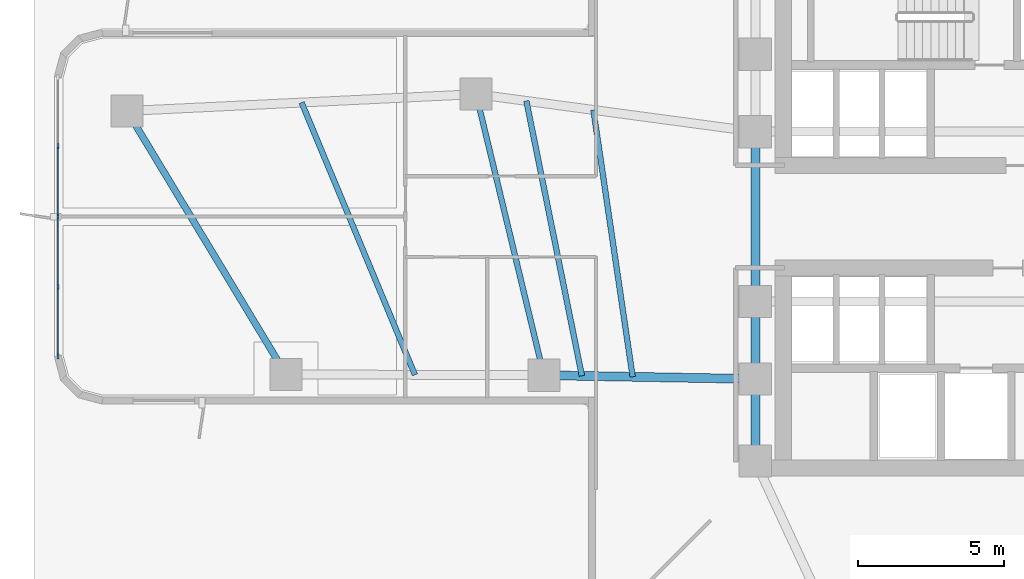
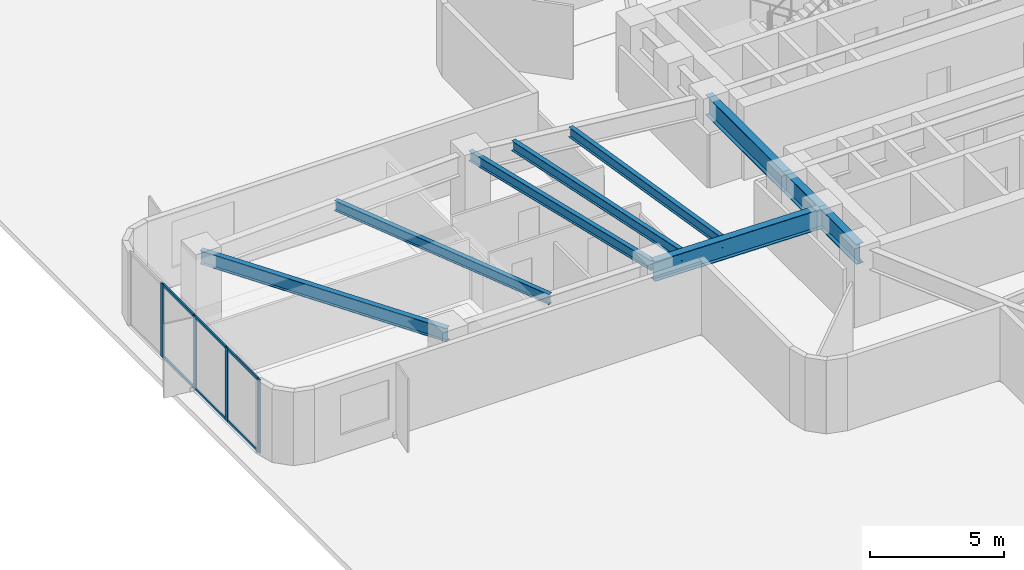
# One storey, part 2 of 14: 10 members, 9 beams, 1 element without a shape of its own.
"""IFC4 building model written with IfcOpenShell, lengths in metres."""

from ifc_helpers import new_model, si_unit, direction, frame, origin, origin_2d, place, context, subcontext, project, spatial, rectangle, i_section, extrude, material, layer, layer_set, material_profile, profile_set, type_object, element, aggregate, save


model = new_model("IFC4")

# Units and contexts
model_context = context("Model", 3, precision=1e-05, world=origin(), true_north=direction((0.0, 1.0)))
body_context = subcontext(model_context, "Body", "Model", "MODEL_VIEW")
ifc_project = project(units=[si_unit("LENGTHUNIT", "METRE"), si_unit("AREAUNIT", "SQUARE_METRE"), si_unit("VOLUMEUNIT", "CUBIC_METRE"), si_unit("PLANEANGLEUNIT", "RADIAN"), si_unit("MASSUNIT", "GRAM", prefix="KILO")], contexts=[model_context])

# Site, building, storey
site_placement = place(None, origin())
site = spatial("IfcSite", under=ifc_project, at=site_placement, CompositionType="ELEMENT")
building_placement = place(site_placement, origin())
building = spatial("IfcBuilding", under=site, at=building_placement, Name="Solmarez Civic Tower", CompositionType="ELEMENT")
storey_placement = place(building_placement, frame((0.0, 0.0, 24.47998046875)))
storey = spatial("IfcBuildingStorey", under=building, at=storey_placement, Name="L05", CompositionType="ELEMENT", Elevation=24.47998046875)

# Beams
ifc_material_1 = material(Name="Steel S355", Category="steel")
ifc_material_profile_1 = material_profile(ifc_material_1, i_section(OverallWidth=0.19189453125, OverallDepth=0.462890625, WebThickness=0.010498046875, FlangeThickness=0.017578125, at=origin_2d()), Name="W18X60")
ifc_profile_set_1 = profile_set([ifc_material_profile_1], Name="Steel S355")
beam_type_1 = type_object("IfcBeamType", Name="BM-JS-W18X60", PredefinedType="JOIST", material=ifc_profile_set_1)
beam_1_placement = place(storey_placement, frame((-18.39111328125, 4.18408203125, 3.10791015625), z_axis=(0.234328919867, -0.97215737271, 0.0), x_axis=(0.97215737271, 0.234328919867, 0.0)))
element("IfcBeam", 1, at=beam_1_placement, inside=storey, type_object=beam_type_1, Name="L05 Secondary Floor Joist BM-L05-WA-T1", PredefinedType="JOIST", context=body_context, shape_type="SweptSolid", body=[
    extrude(i_section(OverallWidth=0.19189453125, OverallDepth=0.462890625, WebThickness=0.010498046875, FlangeThickness=0.017578125, at=origin_2d()), origin(), (0.0, 0.0, 1.0), 9.880126953125),
])
beam_2_placement = place(storey_placement, frame((-24.35498046875, 3.89697265625, 3.10791015625), z_axis=(0.384310898391, -0.923203733408, 0.0), x_axis=(0.923203733408, 0.384310898391, 0.0)))
element("IfcBeam", 2, at=beam_2_placement, inside=storey, type_object=beam_type_1, Name="L05 Secondary Floor Joist JS-L05-WA-M2", PredefinedType="JOIST", context=body_context, shape_type="SweptSolid", body=[
    extrude(i_section(OverallWidth=0.19189453125, OverallDepth=0.462890625, WebThickness=0.010498046875, FlangeThickness=0.017578125, at=origin_2d()), origin(), (0.0, 0.0, 1.0), 10.077880859375),
])
beam_3_placement = place(storey_placement, frame((-14.384033203125, 3.64501953125, 3.10791015625), z_axis=(0.145687649447, -0.989330636743, 0.0), x_axis=(0.989330636743, 0.145687649447, 0.0)))
element("IfcBeam", 3, at=beam_3_placement, inside=storey, type_object=beam_type_1, Name="L05 Secondary Floor Joist JS-L05-WA-M11", PredefinedType="JOIST", context=body_context, shape_type="SweptSolid", body=[
    extrude(i_section(OverallWidth=0.19189453125, OverallDepth=0.462890625, WebThickness=0.010498046875, FlangeThickness=0.017578125, at=origin_2d()), origin(), (0.0, 0.0, 1.0), 9.218505859375),
])
beam_4_placement = place(storey_placement, frame((-16.674072265625, 3.952880859375, 3.10791015625), z_axis=(0.198099134772, -0.980181989634, 0.0), x_axis=(0.980181989634, 0.198099134772, 0.0)))
element("IfcBeam", 4, at=beam_4_placement, inside=storey, type_object=beam_type_1, Name="L05 Secondary Floor Joist JS-L05-WA-M12", PredefinedType="JOIST", context=body_context, shape_type="SweptSolid", body=[
    extrude(i_section(OverallWidth=0.19189453125, OverallDepth=0.462890625, WebThickness=0.010498046875, FlangeThickness=0.017578125, at=origin_2d()), origin(), (0.0, 0.0, 1.0), 9.5869140625),
])
ifc_material_profile_2 = material_profile(ifc_material_1, i_section(OverallWidth=0.303955078125, OverallDepth=0.910888671875, WebThickness=0.015869140625, FlangeThickness=0.02392578125, at=origin_2d()), Name="W36X150")
ifc_profile_set_2 = profile_set([ifc_material_profile_2], Name="Steel S355")
beam_type_2 = type_object("IfcBeamType", Name="BM-PR-W36X150", PredefinedType="BEAM", material=ifc_profile_set_2)
beam_5_placement = place(storey_placement, frame((-8.85009765625, -5.550048828125, 2.884033203125), z_axis=(-0.999840308455, 0.017870578882, 0.0), x_axis=(-0.017870578882, -0.999840308455, 0.0)))
element("IfcBeam", 5, at=beam_5_placement, inside=storey, type_object=beam_type_2, Name="L05 Primary Floor Beam BM-L05-WA-R1B", PredefinedType="BEAM", context=body_context, shape_type="SweptSolid", body=[
    extrude(i_section(OverallWidth=0.303955078125, OverallDepth=0.910888671875, WebThickness=0.015869140625, FlangeThickness=0.02392578125, at=origin_2d()), origin(), (0.0, 0.0, 1.0), 7.22705078125),
])
ifc_material_profile_3 = material_profile(ifc_material_1, i_section(OverallWidth=0.306884765625, OverallDepth=0.927001953125, WebThickness=0.019287109375, FlangeThickness=0.031982421875, at=origin_2d()), Name="W36X194")
ifc_profile_set_3 = profile_set([ifc_material_profile_3], Name="Steel S355")
beam_type_3 = type_object("IfcBeamType", Name="BM-PR-W36X194", PredefinedType="BEAM", material=ifc_profile_set_3)
beam_6_placement = place(storey_placement, frame((-8.85009765625, -8.35009765625, 2.876953125), z_axis=(0.0, 1.0, 0.0), x_axis=(-1.0, 0.0, 0.0)))
element("IfcBeam", 6, at=beam_6_placement, inside=storey, type_object=beam_type_3, Name="L05 Primary Floor Beam BM-L05-HC12-HC1", PredefinedType="BEAM", context=body_context, shape_type="SweptSolid", body=[
    extrude(i_section(OverallWidth=0.306884765625, OverallDepth=0.927001953125, WebThickness=0.019287109375, FlangeThickness=0.031982421875, at=origin_2d()), origin(), (0.0, 0.0, 1.0), 2.800048828125),
])
beam_7_placement = place(storey_placement, frame((-8.85009765625, -5.550048828125, 2.876953125), z_axis=(0.0, 1.0, 0.0), x_axis=(-1.0, 0.0, 0.0)))
element("IfcBeam", 7, at=beam_7_placement, inside=storey, type_object=beam_type_3, Name="L05 Primary Floor Beam BM-L05-HC1-HC2", PredefinedType="BEAM", context=body_context, shape_type="SweptSolid", body=[
    extrude(i_section(OverallWidth=0.306884765625, OverallDepth=0.927001953125, WebThickness=0.019287109375, FlangeThickness=0.031982421875, at=origin_2d()), origin(), (0.0, 0.0, 1.0), 2.650146484375),
])
beam_8_placement = place(storey_placement, frame((-8.85009765625, -2.89990234375, 2.876953125), z_axis=(0.0, 1.0, 0.0), x_axis=(-1.0, 0.0, 0.0)))
element("IfcBeam", 8, at=beam_8_placement, inside=storey, type_object=beam_type_3, Name="L05 Primary Floor Beam BM-L05-HC2-HC3", PredefinedType="BEAM", context=body_context, shape_type="SweptSolid", body=[
    extrude(i_section(OverallWidth=0.306884765625, OverallDepth=0.927001953125, WebThickness=0.019287109375, FlangeThickness=0.031982421875, at=origin_2d()), origin(), (0.0, 0.0, 1.0), 5.7998046875),
])
ifc_material_profile_4 = material_profile(ifc_material_1, i_section(OverallWidth=0.22900390625, OverallDepth=0.612060546875, WebThickness=0.011962890625, FlangeThickness=0.01953125, at=origin_2d()), Name="W24X84")
ifc_profile_set_4 = profile_set([ifc_material_profile_4], Name="Steel S355")
beam_type_4 = type_object("IfcBeamType", Name="BM-SP-W24X84", PredefinedType="SPANDREL", material=ifc_profile_set_4)
beam_9_placement = place(storey_placement, frame((-30.318115234375, 3.60888671875, 3.033935546875), z_axis=(0.516522901024, -0.856273374991, 0.0), x_axis=(0.856273374991, 0.516522901024, 0.0)))
element("IfcBeam", 9, at=beam_9_placement, inside=storey, type_object=beam_type_4, Name="L05 Perimeter Spandrel Beam BM-L05-WA-T2", PredefinedType="SPANDREL", context=body_context, shape_type="SweptSolid", body=[
    extrude(i_section(OverallWidth=0.22900390625, OverallDepth=0.612060546875, WebThickness=0.011962890625, FlangeThickness=0.01953125, at=origin_2d()), origin(), (0.0, 0.0, 1.0), 10.512939453125),
])

# Curtain wall, members
ifc_material_2 = material(Name="Bronze Anodised Aluminium EN AW-6063 T6", Category="aluminium")
ifc_layer = layer(ifc_material_2, 0.18505859375)
ifc_layer_set = layer_set([ifc_layer], Name="Bronze Anodised Aluminium EN AW-6063 T6")
curtain_wall_type = type_object("IfcCurtainWallType", Name="CW-SYS-2", PredefinedType="NOTDEFINED", material=ifc_layer_set)
curtain_wall_placement = place(storey_placement, origin())
curtain_wall = element("IfcCurtainWall", 10, at=curtain_wall_placement, inside=storey, type_object=curtain_wall_type, Name="L05 Stick-Built Curtain Wall 1", PredefinedType="NOTDEFINED")
ifc_material_profile_5 = material_profile(ifc_material_2, rectangle(XDim=0.070068359375, YDim=0.179931640625, at=origin_2d()), Name="CWM-70X180")
ifc_profile_set_5 = profile_set([ifc_material_profile_5], Name="Bronze Anodised Aluminium EN AW-6063 T6")
member_type_1 = type_object("IfcMemberType", Name="CWM-TYPE-2", PredefinedType="MULLION", material=ifc_profile_set_5)
member_1_placement = place(storey_placement, frame((-32.679931640625, -4.77392578125, 0.0), z_axis=(0.0, 0.0, 1.0), x_axis=(-1.0, 0.0, 0.0)))
member_1 = element("IfcMember", 11, at=member_1_placement, type_object=member_type_1, Name="CWS2 mullion 1", PredefinedType="MULLION", context=body_context, shape_type="SweptSolid", body=[
    extrude(rectangle(XDim=0.070068359375, YDim=0.179931640625, at=origin_2d()), origin(), (0.0, 0.0, 1.0), 3.340087890625),
])
member_2_placement = place(storey_placement, frame((-32.679931640625, -2.404541015625, 0.0), z_axis=(0.0, 0.0, 1.0), x_axis=(-1.0, 0.0, 0.0)))
member_2 = element("IfcMember", 12, at=member_2_placement, type_object=member_type_1, Name="CWS2 mullion 2", PredefinedType="MULLION", context=body_context, shape_type="SweptSolid", body=[
    extrude(rectangle(XDim=0.070068359375, YDim=0.179931640625, at=origin_2d()), origin(), (0.0, 0.0, 1.0), 3.340087890625),
])
member_3_placement = place(storey_placement, frame((-32.679931640625, 0.0, 0.0), z_axis=(0.0, 0.0, 1.0), x_axis=(-1.0, 0.0, 0.0)))
member_3 = element("IfcMember", 13, at=member_3_placement, type_object=member_type_1, Name="CWS2 mullion 3", PredefinedType="MULLION", context=body_context, shape_type="SweptSolid", body=[
    extrude(rectangle(XDim=0.070068359375, YDim=0.179931640625, at=origin_2d()), origin(), (0.0, 0.0, 1.0), 3.340087890625),
])
member_4_placement = place(storey_placement, frame((-32.679931640625, 2.404541015625, 0.0), z_axis=(0.0, 0.0, 1.0), x_axis=(-1.0, 0.0, 0.0)))
member_4 = element("IfcMember", 14, at=member_4_placement, type_object=member_type_1, Name="CWS2 mullion 4", PredefinedType="MULLION", context=body_context, shape_type="SweptSolid", body=[
    extrude(rectangle(XDim=0.070068359375, YDim=0.179931640625, at=origin_2d()), origin(), (0.0, 0.0, 1.0), 3.340087890625),
])
ifc_material_profile_6 = material_profile(ifc_material_2, rectangle(XDim=0.06494140625, YDim=0.125, at=origin_2d()), Name="CWT-65X125")
ifc_profile_set_6 = profile_set([ifc_material_profile_6], Name="Bronze Anodised Aluminium EN AW-6063 T6")
member_type_2 = type_object("IfcMemberType", Name="CWT-TYPE-2", PredefinedType="USERDEFINED", material=ifc_profile_set_6)
member_5_placement = place(storey_placement, frame((-32.679931640625, -4.739013671875, 0.032470703125), z_axis=(0.0, 1.0, 0.0), x_axis=(-1.0, 0.0, 0.0)))
member_5 = element("IfcMember", 15, at=member_5_placement, type_object=member_type_2, Name="CWS2 transom 1.1", ObjectType="TRANSOM", PredefinedType="USERDEFINED", context=body_context, shape_type="SweptSolid", body=[
    extrude(rectangle(XDim=0.06494140625, YDim=0.125, at=origin_2d()), origin(), (0.0, 0.0, 1.0), 2.299560546875),
])
member_6_placement = place(storey_placement, frame((-32.679931640625, -4.739013671875, 3.3076171875), z_axis=(0.0, 1.0, 0.0), x_axis=(-1.0, 0.0, 0.0)))
member_6 = element("IfcMember", 16, at=member_6_placement, type_object=member_type_2, Name="CWS2 transom 1.2", ObjectType="TRANSOM", PredefinedType="USERDEFINED", context=body_context, shape_type="SweptSolid", body=[
    extrude(rectangle(XDim=0.06494140625, YDim=0.125, at=origin_2d()), origin(), (0.0, 0.0, 1.0), 2.299560546875),
])
member_7_placement = place(storey_placement, frame((-32.679931640625, -2.369384765625, 0.032470703125), z_axis=(0.0, 1.0, 0.0), x_axis=(-1.0, 0.0, 0.0)))
member_7 = element("IfcMember", 17, at=member_7_placement, type_object=member_type_2, Name="CWS2 transom 2.1", ObjectType="TRANSOM", PredefinedType="USERDEFINED", context=body_context, shape_type="SweptSolid", body=[
    extrude(rectangle(XDim=0.06494140625, YDim=0.125, at=origin_2d()), origin(), (0.0, 0.0, 1.0), 2.33447265625),
])
member_8_placement = place(storey_placement, frame((-32.679931640625, -2.369384765625, 3.3076171875), z_axis=(0.0, 1.0, 0.0), x_axis=(-1.0, 0.0, 0.0)))
member_8 = element("IfcMember", 18, at=member_8_placement, type_object=member_type_2, Name="CWS2 transom 2.2", ObjectType="TRANSOM", PredefinedType="USERDEFINED", context=body_context, shape_type="SweptSolid", body=[
    extrude(rectangle(XDim=0.06494140625, YDim=0.125, at=origin_2d()), origin(), (0.0, 0.0, 1.0), 2.33447265625),
])
member_9_placement = place(storey_placement, frame((-32.679931640625, 0.034912109375, 0.032470703125), z_axis=(0.0, 1.0, 0.0), x_axis=(-1.0, 0.0, 0.0)))
member_9 = element("IfcMember", 19, at=member_9_placement, type_object=member_type_2, Name="CWS2 transom 3.1", ObjectType="TRANSOM", PredefinedType="USERDEFINED", context=body_context, shape_type="SweptSolid", body=[
    extrude(rectangle(XDim=0.06494140625, YDim=0.125, at=origin_2d()), origin(), (0.0, 0.0, 1.0), 2.33447265625),
])
member_10_placement = place(storey_placement, frame((-32.679931640625, 0.034912109375, 3.3076171875), z_axis=(0.0, 1.0, 0.0), x_axis=(-1.0, 0.0, 0.0)))
member_10 = element("IfcMember", 20, at=member_10_placement, type_object=member_type_2, Name="CWS2 transom 3.2", ObjectType="TRANSOM", PredefinedType="USERDEFINED", context=body_context, shape_type="SweptSolid", body=[
    extrude(rectangle(XDim=0.06494140625, YDim=0.125, at=origin_2d()), origin(), (0.0, 0.0, 1.0), 2.33447265625),
])
aggregate(curtain_wall, [member_1, member_2, member_3, member_4, member_5, member_6, member_7, member_8, member_9, member_10])

save(model, "model.ifc")
